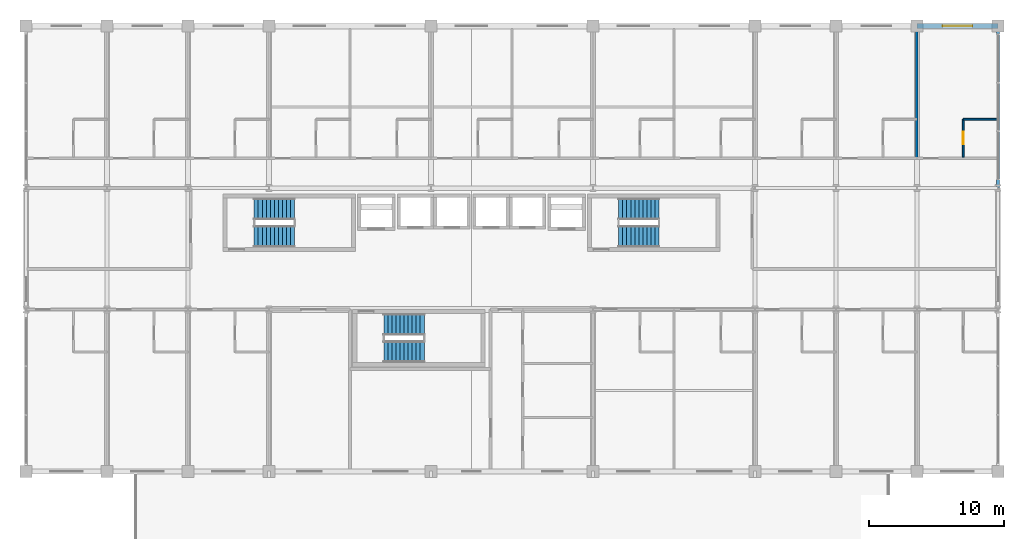
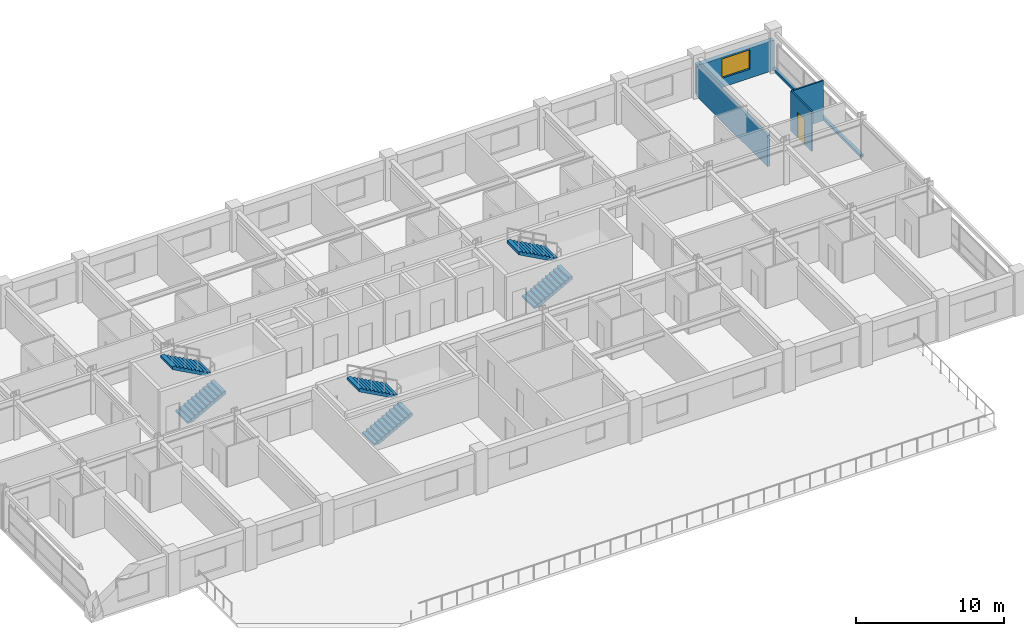
# One storey, part 21 of 24: 6 stair flights, 5 walls, 1 door, 1 window, 2 openings, 3 elements without a shape of their own.
"""IFC4 building model written with IfcOpenShell, lengths in metres."""

from ifc_helpers import new_model, si_unit, direction, frame, frame_2d, origin, place, context, subcontext, project, spatial, polyline, rectangle, outline, extrude, material, layer, layer_set, type_object, element, fill, aggregate, save


model = new_model("IFC4")

# Units and contexts
model_context = context("Model", 3, precision=1e-05, world=origin(), true_north=direction((0.0, 1.0)))
body_context = subcontext(model_context, "Body", "Model", "MODEL_VIEW")
ifc_project = project(units=[si_unit("LENGTHUNIT", "METRE"), si_unit("AREAUNIT", "SQUARE_METRE"), si_unit("VOLUMEUNIT", "CUBIC_METRE"), si_unit("PLANEANGLEUNIT", "RADIAN"), si_unit("MASSUNIT", "GRAM", prefix="KILO")], contexts=[model_context])

# Site, building, storey
site_placement = place(None, origin())
site = spatial("IfcSite", under=ifc_project, at=site_placement, CompositionType="ELEMENT")
building_placement = place(site_placement, origin())
building = spatial("IfcBuilding", under=site, at=building_placement, Name="Kaldorvane Square Convention Centre", CompositionType="ELEMENT")
storey_placement = place(building_placement, frame((0.0, 0.0, 27.600006103515625)))
storey = spatial("IfcBuildingStorey", under=building, at=storey_placement, Name="L05", CompositionType="ELEMENT", Elevation=27.600006103515625)

# Wall, opening, door
ifc_material_1 = material(Name="Fire-Rated Gypsum Board on Acoustic Steel Studs", Category="steel")
ifc_layer_1 = layer(ifc_material_1, 0.125)
ifc_layer_set_1 = layer_set([ifc_layer_1], Name="Fire-Rated Gypsum Board on Acoustic Steel Studs")
wall_type_1 = type_object("IfcWallType", Name="WL-BATH-125", PredefinedType="PARTITIONING", material=ifc_layer_set_1)
wall_1_placement = place(storey_placement, frame((93.43499755859375, 107.28999328613281, 0.0), z_axis=(0.0, 0.0, 1.0), x_axis=(0.0, 1.0, 0.0)))
wall_1 = element("IfcWall", 1, at=wall_1_placement, inside=storey, type_object=wall_type_1, Name="En-Suite 512 West Wall", PredefinedType="PARTITIONING", context=body_context, shape_type="SweptSolid", body=[
    extrude(rectangle(XDim=2.8100128173828125, YDim=0.125, at=frame_2d((1.404998779296875, 0.0))), origin(), (0.0, 0.0, 1.0), 3.2899932861328125),
])
opening_1_placement = place(wall_1_placement, frame((0.9499969482421875, 0.0, 0.0)))
opening_1 = element("IfcOpeningElement", 2, at=opening_1_placement, cuts=wall_1, Name="Opening ID-12", PredefinedType="OPENING", context=body_context, shape_type="SweptSolid", body=[
    extrude(rectangle(XDim=0.9199981689453125, YDim=2.100006103515625, at=frame_2d((0.459991455078125, 1.0500030517578125))), frame((0.0, 0.0774993896484375, 0.0), z_axis=(0.0, -1.0, 0.0), x_axis=(1.0, 0.0, 0.0)), (0.0, 0.0, 1.0), 0.154998779296875),
])
ifc_material_2 = material(Name="Architectural Solid-Core White Oak")
door_type = type_object("IfcDoorType", Name="DR-BATH-0920X2100", OperationType="SINGLE_SWING_RIGHT", PredefinedType="DOOR", material=ifc_material_2)
door_placement = place(opening_1_placement, origin())
door = element("IfcDoor", 3, at=door_placement, inside=storey, type_object=door_type, Name="En-Suite Bathroom 512 Door", OperationType="SINGLE_SWING_RIGHT", OverallHeight=2.100006103515625, OverallWidth=0.9199981689453125, PredefinedType="DOOR", context=body_context, shape_type="SweptSolid", body=[
    extrude(rectangle(XDim=0.9199981689453125, YDim=2.100006103515625, at=frame_2d((0.459991455078125, 1.0500030517578125))), frame((0.0, 0.024993896484375, 0.0), z_axis=(0.0, -1.0, 0.0), x_axis=(1.0, 0.0, 0.0)), (0.0, 0.0, 1.0), 0.0500030517578125),
])
fill(opening_1, door)

# Wall
wall_2_placement = place(storey_placement, frame((93.43499755859375, 110.10000610351562, 0.0), z_axis=(0.0, 0.0, 1.0), x_axis=(1.0, 0.0, 0.0)))
element("IfcWall", 4, at=wall_2_placement, inside=storey, type_object=wall_type_1, Name="En-Suite 512 North Wall", PredefinedType="PARTITIONING", context=body_context, shape_type="SweptSolid", body=[
    extrude(rectangle(XDim=2.4799957275390625, YDim=0.125, at=frame_2d((1.239990234375, 0.0))), origin(), (0.0, 0.0, 1.0), 3.2899932861328125),
])

# Wall, opening, window
ifc_material_3 = material(Name="Concrete f'c = 42 MPa (Normalweight)", Category="concrete")
ifc_layer_2 = layer(ifc_material_3, 0.350006103515625)
ifc_layer_set_2 = layer_set([ifc_layer_2], Name="Concrete f'c = 42 MPa (Normalweight)")
wall_type_2 = type_object("IfcWallType", Name="WL-EXT-350", PredefinedType="STANDARD", material=ifc_layer_set_2)
wall_3_placement = place(storey_placement, frame((96.0, 117.0, 0.0), z_axis=(0.0, 0.0, 1.0), x_axis=(-1.0, 0.0, 0.0)))
wall_3 = element("IfcWall", 5, at=wall_3_placement, inside=storey, type_object=wall_type_2, Name="Hotel N Brutalist Facade Wall (L05)", PredefinedType="STANDARD", context=body_context, shape_type="SweptSolid", body=[
    extrude(rectangle(XDim=6.0, YDim=0.350006103515625, at=frame_2d((3.0, 0.0))), origin(), (0.0, 0.0, 1.0), 2.485992431640625),
])
opening_2_placement = place(wall_3_placement, frame((1.899993896484375, 0.0, 0.75)))
opening_2 = element("IfcOpeningElement", 6, at=opening_2_placement, cuts=wall_3, Name="Opening W-07", PredefinedType="OPENING", context=body_context, shape_type="SweptSolid", body=[
    extrude(rectangle(XDim=2.1999969482421875, YDim=1.600006103515625, at=frame_2d((1.100006103515625, 0.8000030517578125))), frame((0.0, 0.19000244140625, 0.0), z_axis=(0.0, -1.0, 0.0), x_axis=(1.0, 0.0, 0.0)), (0.0, 0.0, 1.0), 0.3800048828125),
])
ifc_material_4 = material(Name="Anodized Aluminum and Low-E Insulated Glazing", Category="aluminium")
window_type = type_object("IfcWindowType", Name="WN-HTL-2200X1600", PartitioningType="DOUBLE_PANEL_VERTICAL", PredefinedType="WINDOW", material=ifc_material_4)
window_placement = place(opening_2_placement, origin())
window = element("IfcWindow", 7, at=window_placement, inside=storey, type_object=window_type, Name="Hotel N Window (L05)", OverallHeight=1.600006103515625, OverallWidth=2.1999969482421875, PartitioningType="DOUBLE_PANEL_VERTICAL", PredefinedType="WINDOW", context=body_context, shape_type="SweptSolid", body=[
    extrude(rectangle(XDim=2.1999969482421875, YDim=1.600006103515625, at=frame_2d((1.100006103515625, 0.8000030517578125))), frame((0.0, 0.029998779296875, 0.0), z_axis=(0.0, -1.0, 0.0), x_axis=(1.0, 0.0, 0.0)), (0.0, 0.0, 1.0), 0.05999755859375),
])
fill(opening_2, window)

# Walls
ifc_material_5 = material(Name="Concrete f'c = 35 MPa (Normalweight)", Category="concrete")
ifc_layer_3 = layer(ifc_material_5, 0.220001220703125)
ifc_layer_set_3 = layer_set([ifc_layer_3], Name="Concrete f'c = 35 MPa (Normalweight)")
wall_type_3 = type_object("IfcWallType", Name="WL-PAR-220", PredefinedType="PARAPET", material=ifc_layer_set_3)
wall_4_placement = place(storey_placement, frame((96.0, 105.0, 0.0), z_axis=(0.0, 0.0, 1.0), x_axis=(0.0, 1.0, 0.0)))
element("IfcWall", 8, at=wall_4_placement, inside=storey, type_object=wall_type_3, Name="Hotel End Curtain-Wall Sill (L05)", PredefinedType="PARAPET", context=body_context, shape_type="SweptSolid", body=[
    extrude(rectangle(XDim=12.0, YDim=0.220001220703125, at=frame_2d((6.0, 0.0))), origin(), (0.0, 0.0, 1.0), 0.1999969482421875),
])
ifc_layer_4 = layer(ifc_material_1, 0.17999267578125)
ifc_layer_set_4 = layer_set([ifc_layer_4], Name="Fire-Rated Gypsum Board on Acoustic Steel Studs")
wall_type_4 = type_object("IfcWallType", Name="WL-UNIT-180", PredefinedType="PARTITIONING", material=ifc_layer_set_4)
wall_5_placement = place(storey_placement, frame((90.0, 107.19999694824219, 0.0), z_axis=(0.0, 0.0, 1.0), x_axis=(0.0, 1.0, 0.0)))
element("IfcWall", 9, at=wall_5_placement, inside=storey, type_object=wall_type_4, Name="Guestroom Demising Wall 511", PredefinedType="PARTITIONING", context=body_context, shape_type="SweptSolid", body=[
    extrude(rectangle(XDim=9.625, YDim=0.17999267578125, at=frame_2d((4.8125, 0.0))), origin(), (0.0, 0.0, 1.0), 2.589996337890625),
])

# Stair, stair flights
stair_type = type_object("IfcStairType", Name="ST-DL-1600-3600", PredefinedType="HALF_TURN_STAIR", material=ifc_material_3)
stair_1_placement = place(storey_placement, origin())
stair_1 = element("IfcStair", 10, at=stair_1_placement, inside=storey, type_object=stair_type, Name="Tower Exit Stair T1 (L05)", PredefinedType="HALF_TURN_STAIR")
stair_flight_type = type_object("IfcStairFlightType", Name="SF-STR-1600-11R", PredefinedType="STRAIGHT", material=ifc_material_3)
stair_flight_1_placement = place(storey_placement, frame((40.899993896484375, 101.41000366210938, 0.0), z_axis=(0.0, 0.0, 1.0), x_axis=(1.0, 0.0, 0.0)))
stair_flight_1 = element("IfcStairFlight", 11, at=stair_flight_1_placement, type_object=stair_flight_type, Name="Tower Exit Stair T1 Flight 1 (L05)", NumberOfRisers=11, NumberOfTreads=10, PredefinedType="STRAIGHT", RiserHeight=0.163636364, TreadLength=0.3, context=body_context, shape_type="SweptSolid", body=[
    extrude(outline(polyline([(0.0, 0.0), (0.0, 0.16363525390625), (0.3000030517578125, 0.16363525390625), (0.3000030517578125, 0.3272705078125), (0.600006103515625, 0.3272705078125), (0.600006103515625, 0.49090576171875), (0.899993896484375, 0.49090576171875), (0.899993896484375, 0.654541015625), (1.1999969482421875, 0.654541015625), (1.1999969482421875, 0.81817626953125), (1.5, 0.81817626953125), (1.5, 0.9818115234375), (1.8000030517578125, 0.9818115234375), (1.8000030517578125, 1.1454620361328125), (2.100006103515625, 1.1454620361328125), (2.100006103515625, 1.3090972900390625), (2.399993896484375, 1.3090972900390625), (2.399993896484375, 1.4727325439453125), (2.6999969482421875, 1.4727325439453125), (2.6999969482421875, 1.6363677978515625), (3.0, 1.6363677978515625), (3.0, 1.8000030517578125), (3.0, 1.4085540771484375), (0.41766357421875, 0.0), (0.0, 0.0)])), frame((0.0, 0.8000030517578125, 0.0), z_axis=(0.0, -1.0, 0.0), x_axis=(1.0, 0.0, 0.0)), (0.0, 0.0, 1.0), 1.600006103515625),
])
stair_flight_2_placement = place(storey_placement, frame((43.899993896484375, 103.44999694824219, 1.79998779296875), z_axis=(0.0, 0.0, 1.0), x_axis=(-1.0, 0.0, 0.0)))
stair_flight_2 = element("IfcStairFlight", 12, at=stair_flight_2_placement, type_object=stair_flight_type, Name="Tower Exit Stair T1 Flight 2 (L05)", NumberOfRisers=11, NumberOfTreads=10, PredefinedType="STRAIGHT", RiserHeight=0.163636364, TreadLength=0.3, context=body_context, shape_type="SweptSolid", body=[
    extrude(outline(polyline([(0.0, 0.0), (0.0, 0.16363525390625), (0.3000030517578125, 0.16363525390625), (0.3000030517578125, 0.3272705078125), (0.600006103515625, 0.3272705078125), (0.600006103515625, 0.49090576171875), (0.899993896484375, 0.49090576171875), (0.899993896484375, 0.654541015625), (1.1999969482421875, 0.654541015625), (1.1999969482421875, 0.81817626953125), (1.5, 0.81817626953125), (1.5, 0.9818115234375), (1.8000030517578125, 0.9818115234375), (1.8000030517578125, 1.1454620361328125), (2.100006103515625, 1.1454620361328125), (2.100006103515625, 1.3090972900390625), (2.399993896484375, 1.3090972900390625), (2.399993896484375, 1.4727325439453125), (2.6999969482421875, 1.4727325439453125), (2.6999969482421875, 1.6363677978515625), (3.0, 1.6363677978515625), (3.0, 1.8000030517578125), (3.0, 1.4085540771484375), (0.41766357421875, 0.0), (0.0, 0.0)])), frame((0.0, 0.8000030517578125, 0.0), z_axis=(0.0, -1.0, 0.0), x_axis=(1.0, 0.0, 0.0)), (0.0, 0.0, 1.0), 1.600006103515625),
])
aggregate(stair_1, [stair_flight_1, stair_flight_2])

stair_2_placement = place(storey_placement, origin())
stair_2 = element("IfcStair", 13, at=stair_2_placement, inside=storey, type_object=stair_type, Name="Tower Exit Stair T2 (L05)", PredefinedType="HALF_TURN_STAIR")
stair_flight_3_placement = place(storey_placement, frame((67.89999389648438, 101.41000366210938, 0.0), z_axis=(0.0, 0.0, 1.0), x_axis=(1.0, 0.0, 0.0)))
stair_flight_3 = element("IfcStairFlight", 14, at=stair_flight_3_placement, type_object=stair_flight_type, Name="Tower Exit Stair T2 Flight 1 (L05)", NumberOfRisers=11, NumberOfTreads=10, PredefinedType="STRAIGHT", RiserHeight=0.163636364, TreadLength=0.3, context=body_context, shape_type="SweptSolid", body=[
    extrude(outline(polyline([(0.0, 0.0), (0.0, 0.16363525390625), (0.3000030517578125, 0.16363525390625), (0.3000030517578125, 0.3272705078125), (0.600006103515625, 0.3272705078125), (0.600006103515625, 0.49090576171875), (0.899993896484375, 0.49090576171875), (0.899993896484375, 0.654541015625), (1.1999969482421875, 0.654541015625), (1.1999969482421875, 0.81817626953125), (1.5, 0.81817626953125), (1.5, 0.9818115234375), (1.8000030517578125, 0.9818115234375), (1.8000030517578125, 1.1454620361328125), (2.100006103515625, 1.1454620361328125), (2.100006103515625, 1.3090972900390625), (2.399993896484375, 1.3090972900390625), (2.399993896484375, 1.4727325439453125), (2.6999969482421875, 1.4727325439453125), (2.6999969482421875, 1.6363677978515625), (3.0, 1.6363677978515625), (3.0, 1.8000030517578125), (3.0, 1.4085540771484375), (0.41766357421875, 0.0), (0.0, 0.0)])), frame((0.0, 0.8000030517578125, 0.0), z_axis=(0.0, -1.0, 0.0), x_axis=(1.0, 0.0, 0.0)), (0.0, 0.0, 1.0), 1.600006103515625),
])
stair_flight_4_placement = place(storey_placement, frame((70.89999389648438, 103.44999694824219, 1.79998779296875), z_axis=(0.0, 0.0, 1.0), x_axis=(-1.0, 0.0, 0.0)))
stair_flight_4 = element("IfcStairFlight", 15, at=stair_flight_4_placement, type_object=stair_flight_type, Name="Tower Exit Stair T2 Flight 2 (L05)", NumberOfRisers=11, NumberOfTreads=10, PredefinedType="STRAIGHT", RiserHeight=0.163636364, TreadLength=0.3, context=body_context, shape_type="SweptSolid", body=[
    extrude(outline(polyline([(0.0, 0.0), (0.0, 0.16363525390625), (0.3000030517578125, 0.16363525390625), (0.3000030517578125, 0.3272705078125), (0.600006103515625, 0.3272705078125), (0.600006103515625, 0.49090576171875), (0.899993896484375, 0.49090576171875), (0.899993896484375, 0.654541015625), (1.1999969482421875, 0.654541015625), (1.1999969482421875, 0.81817626953125), (1.5, 0.81817626953125), (1.5, 0.9818115234375), (1.8000030517578125, 0.9818115234375), (1.8000030517578125, 1.1454620361328125), (2.100006103515625, 1.1454620361328125), (2.100006103515625, 1.3090972900390625), (2.399993896484375, 1.3090972900390625), (2.399993896484375, 1.4727325439453125), (2.6999969482421875, 1.4727325439453125), (2.6999969482421875, 1.6363677978515625), (3.0, 1.6363677978515625), (3.0, 1.8000030517578125), (3.0, 1.4085540771484375), (0.41766357421875, 0.0), (0.0, 0.0)])), frame((0.0, 0.8000030517578125, 0.0), z_axis=(0.0, -1.0, 0.0), x_axis=(1.0, 0.0, 0.0)), (0.0, 0.0, 1.0), 1.600006103515625),
])
aggregate(stair_2, [stair_flight_3, stair_flight_4])

stair_3_placement = place(storey_placement, origin())
stair_3 = element("IfcStair", 16, at=stair_3_placement, inside=storey, type_object=stair_type, Name="Tower Exit Stair T3 (L05)", PredefinedType="HALF_TURN_STAIR")
stair_flight_5_placement = place(storey_placement, frame((50.5, 92.86000061035156, 0.0), z_axis=(0.0, 0.0, 1.0), x_axis=(1.0, 0.0, 0.0)))
stair_flight_5 = element("IfcStairFlight", 17, at=stair_flight_5_placement, type_object=stair_flight_type, Name="Tower Exit Stair T3 Flight 1 (L05)", NumberOfRisers=11, NumberOfTreads=10, PredefinedType="STRAIGHT", RiserHeight=0.163636364, TreadLength=0.3, context=body_context, shape_type="SweptSolid", body=[
    extrude(outline(polyline([(0.0, 0.0), (0.0, 0.16363525390625), (0.3000030517578125, 0.16363525390625), (0.3000030517578125, 0.3272705078125), (0.600006103515625, 0.3272705078125), (0.600006103515625, 0.49090576171875), (0.899993896484375, 0.49090576171875), (0.899993896484375, 0.654541015625), (1.1999969482421875, 0.654541015625), (1.1999969482421875, 0.81817626953125), (1.5, 0.81817626953125), (1.5, 0.9818115234375), (1.8000030517578125, 0.9818115234375), (1.8000030517578125, 1.1454620361328125), (2.100006103515625, 1.1454620361328125), (2.100006103515625, 1.3090972900390625), (2.399993896484375, 1.3090972900390625), (2.399993896484375, 1.4727325439453125), (2.6999969482421875, 1.4727325439453125), (2.6999969482421875, 1.6363677978515625), (3.0, 1.6363677978515625), (3.0, 1.8000030517578125), (3.0, 1.4085540771484375), (0.41766357421875, 0.0), (0.0, 0.0)])), frame((0.0, 0.8000030517578125, 0.0), z_axis=(0.0, -1.0, 0.0), x_axis=(1.0, 0.0, 0.0)), (0.0, 0.0, 1.0), 1.600006103515625),
])
stair_flight_6_placement = place(storey_placement, frame((53.5, 94.89999389648438, 1.79998779296875), z_axis=(0.0, 0.0, 1.0), x_axis=(-1.0, 0.0, 0.0)))
stair_flight_6 = element("IfcStairFlight", 18, at=stair_flight_6_placement, type_object=stair_flight_type, Name="Tower Exit Stair T3 Flight 2 (L05)", NumberOfRisers=11, NumberOfTreads=10, PredefinedType="STRAIGHT", RiserHeight=0.163636364, TreadLength=0.3, context=body_context, shape_type="SweptSolid", body=[
    extrude(outline(polyline([(0.0, 0.0), (0.0, 0.16363525390625), (0.3000030517578125, 0.16363525390625), (0.3000030517578125, 0.3272705078125), (0.600006103515625, 0.3272705078125), (0.600006103515625, 0.49090576171875), (0.899993896484375, 0.49090576171875), (0.899993896484375, 0.654541015625), (1.1999969482421875, 0.654541015625), (1.1999969482421875, 0.81817626953125), (1.5, 0.81817626953125), (1.5, 0.9818115234375), (1.8000030517578125, 0.9818115234375), (1.8000030517578125, 1.1454620361328125), (2.100006103515625, 1.1454620361328125), (2.100006103515625, 1.3090972900390625), (2.399993896484375, 1.3090972900390625), (2.399993896484375, 1.4727325439453125), (2.6999969482421875, 1.4727325439453125), (2.6999969482421875, 1.6363677978515625), (3.0, 1.6363677978515625), (3.0, 1.8000030517578125), (3.0, 1.4085540771484375), (0.41766357421875, 0.0), (0.0, 0.0)])), frame((0.0, 0.8000030517578125, 0.0), z_axis=(0.0, -1.0, 0.0), x_axis=(1.0, 0.0, 0.0)), (0.0, 0.0, 1.0), 1.600006103515625),
])
aggregate(stair_3, [stair_flight_5, stair_flight_6])

save(model, "model.ifc")
